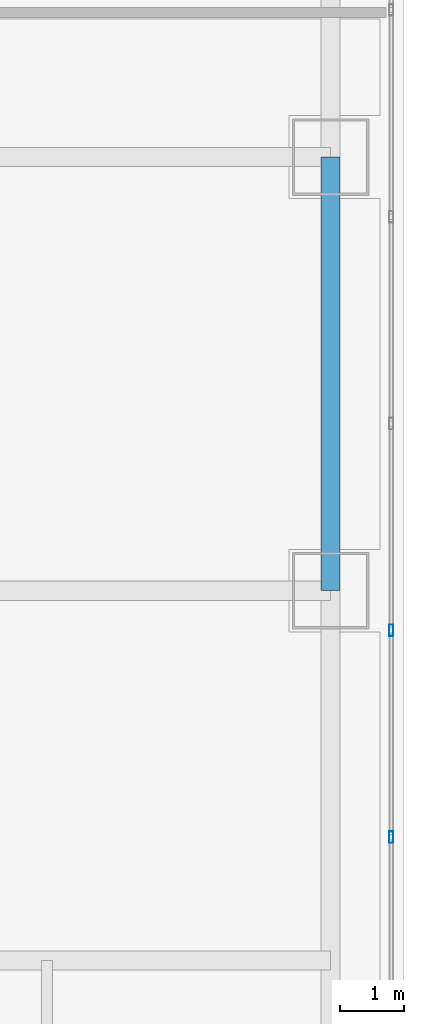
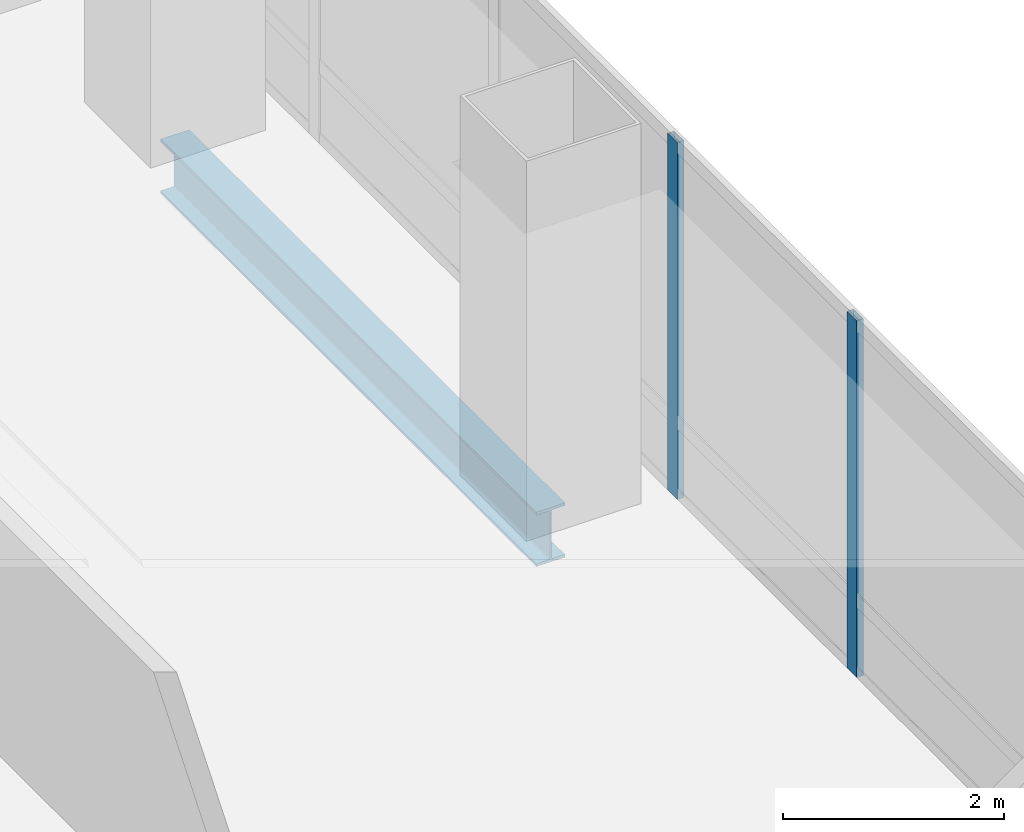
# One storey, part 21 of 46: 2 members, 1 beam, 1 element without a shape of its own.
"""IFC4 building model written with IfcOpenShell, lengths in metres."""

from ifc_helpers import new_model, si_unit, direction, frame, origin, origin_2d, place, context, subcontext, project, spatial, hollow_rectangle, i_section, extrude, material, material_profile, profile_set, type_object, element, aggregate, save


model = new_model("IFC4")

# Units and contexts
model_context = context("Model", 3, precision=1e-05, world=origin(), true_north=direction((0.0, 1.0)))
body_context = subcontext(model_context, "Body", "Model", "MODEL_VIEW")
ifc_project = project(units=[si_unit("LENGTHUNIT", "METRE"), si_unit("AREAUNIT", "SQUARE_METRE"), si_unit("VOLUMEUNIT", "CUBIC_METRE"), si_unit("PLANEANGLEUNIT", "RADIAN"), si_unit("MASSUNIT", "GRAM", prefix="KILO")], contexts=[model_context])

# Site, building, storey
site_placement = place(None, origin())
site = spatial("IfcSite", under=ifc_project, at=site_placement, CompositionType="ELEMENT")
building_placement = place(site_placement, origin())
building = spatial("IfcBuilding", under=site, at=building_placement, Name="Punatoya Terracotta Tower", CompositionType="ELEMENT")
storey_placement = place(building_placement, frame((0.0, 0.0, 330.0)))
storey = spatial("IfcBuildingStorey", under=building, at=storey_placement, Name="L78", CompositionType="ELEMENT", Elevation=330.0)

# Beam
ifc_material_1 = material(Name="Steel S355", Category="steel")
ifc_material_profile_1 = material_profile(ifc_material_1, i_section(OverallWidth=0.300048828125, OverallDepth=0.60009765625, WebThickness=0.015380859375, FlangeThickness=0.030029296875, FilletRadius=0.01806640625, at=origin_2d()))
ifc_profile_set_1 = profile_set([ifc_material_profile_1], Name="Steel S355")
beam_type = type_object("IfcBeamType", Name="BM-PRI-600", PredefinedType="BEAM", material=ifc_profile_set_1)
beam_placement = place(storey_placement, frame((19.10009765625, -3.39990234375, -0.5), z_axis=(0.0, 1.0, 0.0), x_axis=(-1.0, 0.0, 0.0)))
element("IfcBeam", 1, at=beam_placement, inside=storey, type_object=beam_type, Name="BM-L78-RG-E2", PredefinedType="BEAM", context=body_context, shape_type="SweptSolid", body=[
    extrude(i_section(OverallWidth=0.300048828125, OverallDepth=0.60009765625, WebThickness=0.015380859375, FlangeThickness=0.030029296875, FilletRadius=0.01806640625, at=origin_2d()), origin(), (0.0, 0.0, 1.0), 6.7998046875),
])

# Curtain wall, members
ifc_material_2 = material(Name="Aluminium 6063-T6 + Double Low-E Glass", Category="aluminium")
curtain_wall_type = type_object("IfcCurtainWallType", Name="CW-OBS", PredefinedType="NOTDEFINED", material=ifc_material_2)
curtain_wall_placement = place(storey_placement, origin())
curtain_wall = element("IfcCurtainWall", 2, at=curtain_wall_placement, inside=storey, type_object=curtain_wall_type, Name="L78 Curtain Wall CW-L78-E05-1", PredefinedType="NOTDEFINED")
ifc_material_3 = material(Name="Aluminium 6063-T6", Category="aluminium")
ifc_material_profile_2 = material_profile(ifc_material_3, hollow_rectangle(XDim=0.070068359375, YDim=0.179931640625, WallThickness=0.00390625, at=origin_2d()))
ifc_profile_set_2 = profile_set([ifc_material_profile_2], Name="Aluminium 6063-T6")
member_type = type_object("IfcMemberType", Name="CW-MUL-M3", PredefinedType="MULLION", material=ifc_profile_set_2)
member_1_placement = place(storey_placement, frame((20.050048828125, -7.2646484375, 0.0), z_axis=(0.0, 0.0, 1.0), x_axis=(1.0, 0.0, 0.0)))
member_1 = element("IfcMember", 3, at=member_1_placement, type_object=member_type, Name="CW-L78-E05-1 Mullion 04", PredefinedType="MULLION", context=body_context, shape_type="SweptSolid", body=[
    extrude(hollow_rectangle(XDim=0.070068359375, YDim=0.179931640625, WallThickness=0.00390625, at=origin_2d()), origin(), (0.0, 0.0, 1.0), 3.93994140625),
])
member_2_placement = place(storey_placement, frame((20.050048828125, -4.021484375, 0.0), z_axis=(0.0, 0.0, 1.0), x_axis=(1.0, 0.0, 0.0)))
member_2 = element("IfcMember", 4, at=member_2_placement, type_object=member_type, Name="CW-L78-E05-1 Mullion 05", PredefinedType="MULLION", context=body_context, shape_type="SweptSolid", body=[
    extrude(hollow_rectangle(XDim=0.070068359375, YDim=0.179931640625, WallThickness=0.00390625, at=origin_2d()), origin(), (0.0, 0.0, 1.0), 3.93994140625),
])
aggregate(curtain_wall, [member_1, member_2])

save(model, "model.ifc")
